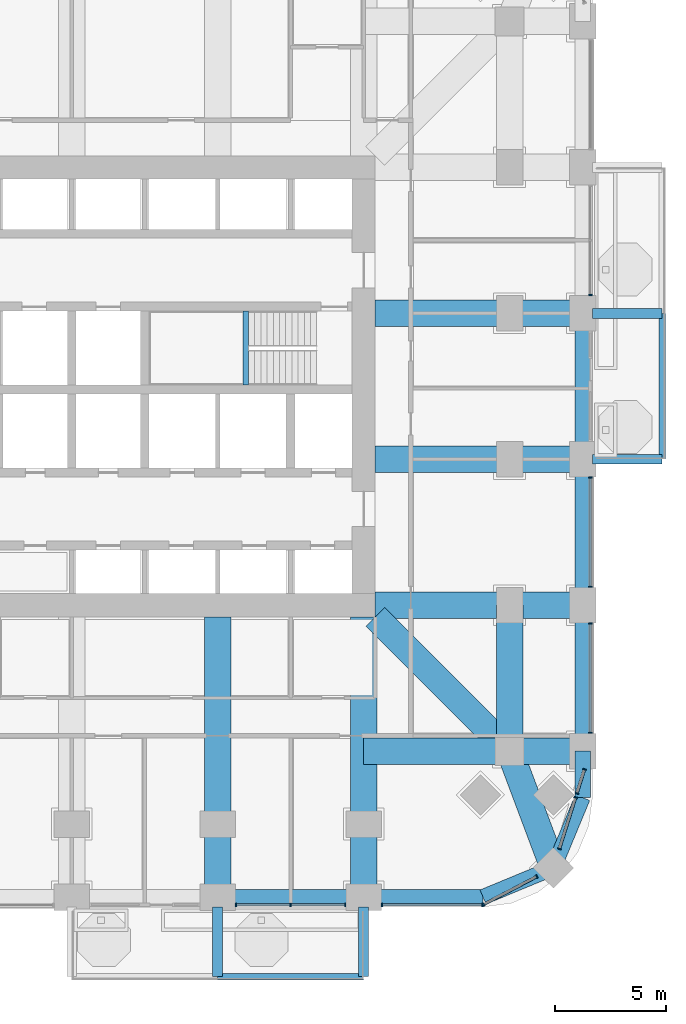
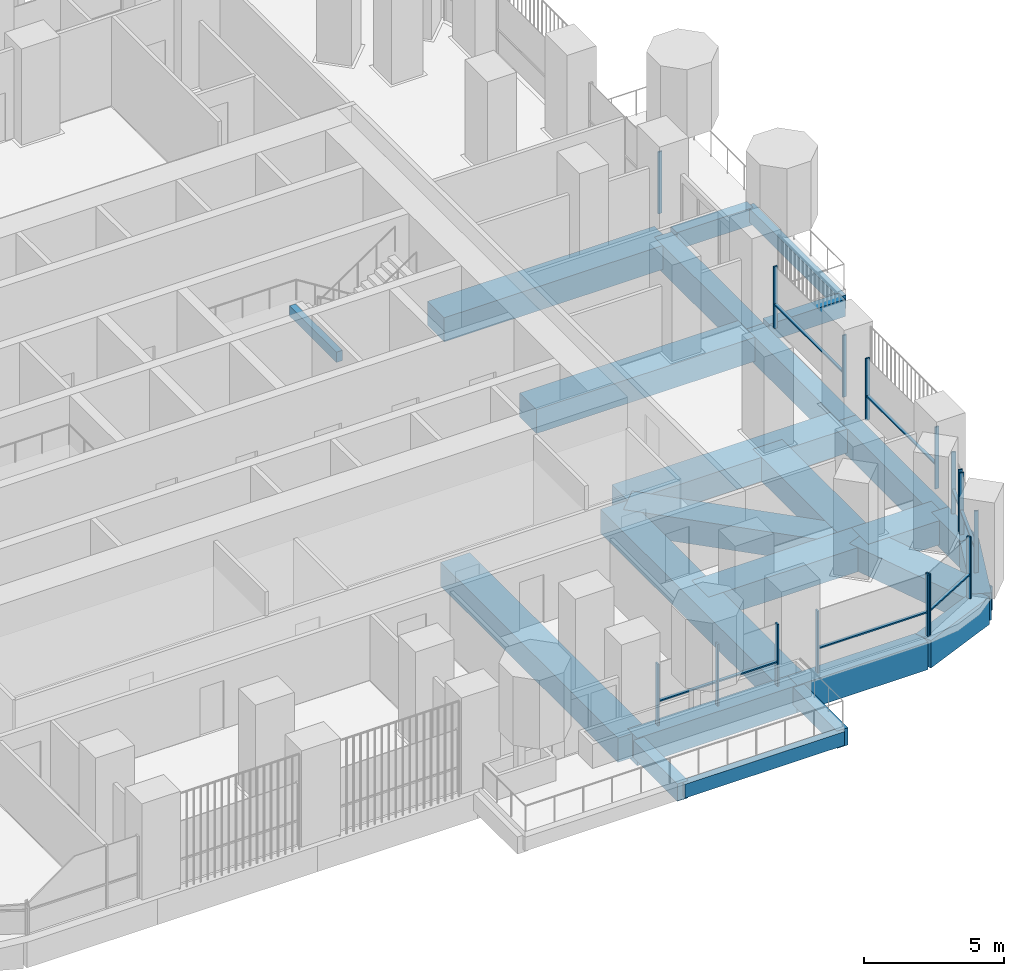
# One storey, part 5 of 23: 25 beams, 24 members, 8 elements without a shape of their own.
"""IFC4 building model written with IfcOpenShell, lengths in metres."""

from ifc_helpers import new_model, si_unit, direction, frame, origin, origin_2d, place, context, subcontext, project, spatial, rectangle, extrude, material, material_profile, profile_set, type_object, element, aggregate, save


model = new_model("IFC4")

# Units and contexts
model_context = context("Model", 3, precision=1e-05, world=origin(), true_north=direction((0.0, 1.0)))
body_context = subcontext(model_context, "Body", "Model", "MODEL_VIEW")
ifc_project = project(units=[si_unit("LENGTHUNIT", "METRE"), si_unit("AREAUNIT", "SQUARE_METRE"), si_unit("VOLUMEUNIT", "CUBIC_METRE"), si_unit("PLANEANGLEUNIT", "RADIAN"), si_unit("MASSUNIT", "GRAM", prefix="KILO")], contexts=[model_context])

# Site, building, storey
site_placement = place(None, origin())
site = spatial("IfcSite", under=ifc_project, at=site_placement, CompositionType="ELEMENT")
building_placement = place(site_placement, origin())
building = spatial("IfcBuilding", under=site, at=building_placement, Name="Cobogo Forest Laboratory Tower", CompositionType="ELEMENT")
storey_placement = place(building_placement, frame((0.0, 0.0, 103.199951171875)))
storey = spatial("IfcBuildingStorey", under=building, at=storey_placement, Name="L23", CompositionType="ELEMENT", Elevation=103.199951171875)

# Beams
ifc_material_1 = material(Name="Concrete HA-40 (C40/50)", Category="concrete")
ifc_material_profile_1 = material_profile(ifc_material_1, rectangle(XDim=0.449951171875, YDim=0.75, at=origin_2d()), Name="RC 450x750")
ifc_profile_set_1 = profile_set([ifc_material_profile_1], Name="Concrete HA-40 (C40/50)")
beam_type_1 = type_object("IfcBeamType", Name="Balcony cantilever beam 450x750", PredefinedType="BEAM", material=ifc_profile_set_1)
for number, where, z_axis, x_axis, name in (
    (1, (33.0, -0.449951171875, -0.625), (0.0, -1.0, 0.0), (1.0, 0.0, 0.0), "CB1 BAL-S1-C2 L23"),
    (2, (39.60009765625, -0.449951171875, -0.625), (0.0, -1.0, 0.0), (1.0, 0.0, 0.0), "CB1 BAL-S1-C3 L23"),
    (3, (49.949951171875, 19.800048828125, -0.625), (1.0, 0.0, 0.0), (0.0, 1.0, 0.0), "CB1 BAL-E1-C1 L23"),
    (4, (49.949951171875, 26.39990234375, -0.625), (1.0, 0.0, 0.0), (0.0, 1.0, 0.0), "CB1 BAL-E1-C2 L23"),
):
    element("IfcBeam", number, at=place(storey_placement, frame(where, z_axis=z_axis, x_axis=x_axis)), inside=storey, type_object=beam_type_1, Name=name, PredefinedType="BEAM", context=body_context, shape_type="SweptSolid", body=[
        extrude(rectangle(XDim=0.449951171875, YDim=0.75, at=origin_2d()), origin(), (0.0, 0.0, 1.0), 3.150146484375),
    ])
ifc_material_profile_2 = material_profile(ifc_material_1, rectangle(XDim=0.300048828125, YDim=0.60009765625, at=origin_2d()), Name="RC 300x600")
ifc_profile_set_2 = profile_set([ifc_material_profile_2], Name="Concrete HA-40 (C40/50)")
beam_type_2 = type_object("IfcBeamType", Name="Balcony edge beam 300x600", PredefinedType="BEAM", material=ifc_profile_set_2)
beam_1_placement = place(storey_placement, frame((33.0, -3.60009765625, -0.550048828125), z_axis=(1.0, 0.0, 0.0), x_axis=(0.0, 1.0, 0.0)))
element("IfcBeam", 5, at=beam_1_placement, inside=storey, type_object=beam_type_2, Name="BB1 BAL-S1-T2 L23", PredefinedType="BEAM", context=body_context, shape_type="SweptSolid", body=[
    extrude(rectangle(XDim=0.300048828125, YDim=0.60009765625, at=origin_2d()), origin(), (0.0, 0.0, 1.0), 6.60009765625),
])
beam_2_placement = place(storey_placement, frame((53.10009765625, 19.800048828125, -0.550048828125), z_axis=(0.0, 1.0, 0.0), x_axis=(-1.0, 0.0, 0.0)))
element("IfcBeam", 6, at=beam_2_placement, inside=storey, type_object=beam_type_2, Name="BB1 BAL-E1-T1 L23", PredefinedType="BEAM", context=body_context, shape_type="SweptSolid", body=[
    extrude(rectangle(XDim=0.300048828125, YDim=0.60009765625, at=origin_2d()), origin(), (0.0, 0.0, 1.0), 6.599853515625),
])
ifc_material_profile_3 = material_profile(ifc_material_1, rectangle(XDim=0.25, YDim=0.449951171875, at=origin_2d()), Name="RC 250x450")
ifc_profile_set_3 = profile_set([ifc_material_profile_3], Name="Concrete HA-40 (C40/50)")
beam_type_3 = type_object("IfcBeamType", Name="LB1 landing beam 250x450", PredefinedType="BEAM", material=ifc_profile_set_3)
beam_3_placement = place(storey_placement, frame((34.27001953125, 23.14990234375, 1.675048828125), z_axis=(0.0, 1.0, 0.0), x_axis=(-1.0, 0.0, 0.0)))
element("IfcBeam", 7, at=beam_3_placement, inside=storey, type_object=beam_type_3, Name="Landing beam ST2 L23", PredefinedType="BEAM", context=body_context, shape_type="SweptSolid", body=[
    extrude(rectangle(XDim=0.25, YDim=0.449951171875, at=origin_2d()), origin(), (0.0, 0.0, 1.0), 3.35009765625),
])
ifc_material_profile_4 = material_profile(ifc_material_1, rectangle(XDim=1.199951171875, YDim=1.050048828125, at=origin_2d()), Name="RC 1200x1050")
ifc_profile_set_4 = profile_set([ifc_material_profile_4], Name="Concrete HA-40 (C40/50)")
beam_type_4 = type_object("IfcBeamType", Name="Laboratory floor wide beam 1200x1050", PredefinedType="BEAM", material=ifc_profile_set_4)
for number, where, z_axis, x_axis, name in (
    (8, (33.0, 12.675048828125, -0.824951171875), (0.0, -1.0, 0.0), (1.0, 0.0, 0.0), "RB1 R-6-S L23"),
    (9, (39.60009765625, 12.675048828125, -0.824951171875), (0.0, -1.0, 0.0), (1.0, 0.0, 0.0), "RB1 R-7-S L23"),
):
    element("IfcBeam", number, at=place(storey_placement, frame(where, z_axis=z_axis, x_axis=x_axis)), inside=storey, type_object=beam_type_4, Name=name, PredefinedType="BEAM", context=body_context, shape_type="SweptSolid", body=[
        extrude(rectangle(XDim=1.199951171875, YDim=1.050048828125, at=origin_2d()), origin(), (0.0, 0.0, 1.0), 12.675048828125),
    ])
for number, where, z_axis, x_axis, name in (
    (10, (40.125, 13.199951171875, -0.824951171875), (1.0, 0.0, 0.0), (0.0, 1.0, 0.0), "RB1 R-C-E L23"),
    (11, (40.125, 19.800048828125, -0.824951171875), (1.0, 0.0, 0.0), (0.0, 1.0, 0.0), "RB1 R-D-E L23"),
    (12, (40.125, 26.39990234375, -0.824951171875), (1.0, 0.0, 0.0), (0.0, 1.0, 0.0), "RB1 R-E-E L23"),
):
    element("IfcBeam", number, at=place(storey_placement, frame(where, z_axis=z_axis, x_axis=x_axis)), inside=storey, type_object=beam_type_4, Name=name, PredefinedType="BEAM", context=body_context, shape_type="SweptSolid", body=[
        extrude(rectangle(XDim=1.199951171875, YDim=1.050048828125, at=origin_2d()), origin(), (0.0, 0.0, 1.0), 9.375),
    ])
beam_4_placement = place(storey_placement, frame((46.199951171875, 6.60009765625, -0.824951171875), z_axis=(0.0, 1.0, 0.0), x_axis=(-1.0, 0.0, 0.0)))
element("IfcBeam", 13, at=beam_4_placement, inside=storey, type_object=beam_type_4, Name="RB1 G-SE-XC L23", PredefinedType="BEAM", context=body_context, shape_type="SweptSolid", body=[
    extrude(rectangle(XDim=1.199951171875, YDim=1.050048828125, at=origin_2d()), origin(), (0.0, 0.0, 1.0), 6.599853515625),
])
beam_5_placement = place(storey_placement, frame((49.5, 6.60009765625, -0.824951171875), z_axis=(-1.0, 0.0, 0.0), x_axis=(0.0, -1.0, 0.0)))
element("IfcBeam", 14, at=beam_5_placement, inside=storey, type_object=beam_type_4, Name="RB1 G-SE-YF L23", PredefinedType="BEAM", context=body_context, shape_type="SweptSolid", body=[
    extrude(rectangle(XDim=1.199951171875, YDim=1.050048828125, at=origin_2d()), origin(), (0.0, 0.0, 1.0), 3.300048828125),
])
beam_6_placement = place(storey_placement, frame((46.199951171875, 6.60009765625, -0.824951171875), z_axis=(-1.0, 0.0, 0.0), x_axis=(0.0, -1.0, 0.0)))
element("IfcBeam", 15, at=beam_6_placement, inside=storey, type_object=beam_type_4, Name="RB1 G-SE-YC L23", PredefinedType="BEAM", context=body_context, shape_type="SweptSolid", body=[
    extrude(rectangle(XDim=1.199951171875, YDim=1.050048828125, at=origin_2d()), origin(), (0.0, 0.0, 1.0), 6.599853515625),
])
beam_7_placement = place(storey_placement, frame((48.181884765625, 1.318115234375, -0.824951171875), z_axis=(-0.351308391925, 0.936259800356, 0.0), x_axis=(-0.936259800356, -0.351308391925, 0.0)))
element("IfcBeam", 16, at=beam_7_placement, inside=storey, type_object=beam_type_4, Name="RB1 G-SE-D1 L23", PredefinedType="BEAM", context=body_context, shape_type="SweptSolid", body=[
    extrude(rectangle(XDim=1.199951171875, YDim=1.050048828125, at=origin_2d()), origin(), (0.0, 0.0, 1.0), 5.6416015625),
])
beam_8_placement = place(storey_placement, frame((46.199951171875, 6.60009765625, -0.824951171875), z_axis=(-0.707106781187, 0.707106781187, 0.0), x_axis=(-0.707106781187, -0.707106781187, 0.0)))
element("IfcBeam", 17, at=beam_8_placement, inside=storey, type_object=beam_type_4, Name="RB1 G-SE-D2 L23", PredefinedType="BEAM", context=body_context, shape_type="SweptSolid", body=[
    extrude(rectangle(XDim=1.199951171875, YDim=1.050048828125, at=origin_2d()), origin(), (0.0, 0.0, 1.0), 8.59130859375),
])

# Curtain wall, members
ifc_material_2 = material(Name="Aluminium curtain wall", Category="aluminium")
curtain_wall_type = type_object("IfcCurtainWallType", Name="CW-1 unitised curtain wall, clear glazing, laboratory floors zones A and B", PredefinedType="USERDEFINED", material=ifc_material_2)
curtain_wall_1_placement = place(storey_placement, origin())
curtain_wall_1 = element("IfcCurtainWall", 18, at=curtain_wall_1_placement, inside=storey, type_object=curtain_wall_type, Name="Curtain wall 05 L23", ObjectType="UNITISED CURTAIN WALL", PredefinedType="USERDEFINED")
ifc_material_3 = material(Name="Aluminium mullion", Category="aluminium")
ifc_material_profile_5 = material_profile(ifc_material_3, rectangle(XDim=0.06005859375, YDim=0.159912109375, at=origin_2d()), Name="AL 60x160")
ifc_profile_set_5 = profile_set([ifc_material_profile_5], Name="Aluminium mullion")
member_type_1 = type_object("IfcMemberType", Name="MU-1 aluminium mullion 60x160", PredefinedType="MULLION", material=ifc_profile_set_5)
member_1_placement = place(storey_placement, frame((33.830078125, -0.35009765625, 0.0), z_axis=(0.0, 0.0, 1.0), x_axis=(1.0, 0.0, 0.0)))
member_1 = element("IfcMember", 19, at=member_1_placement, type_object=member_type_1, Name="CW-1 mullion 1", PredefinedType="MULLION", context=body_context, shape_type="SweptSolid", body=[
    extrude(rectangle(XDim=0.06005859375, YDim=0.159912109375, at=origin_2d()), origin(), (0.0, 0.0, 1.0), 2.699951171875),
])
member_2_placement = place(storey_placement, frame((36.300048828125, -0.35009765625, 0.0), z_axis=(0.0, 0.0, 1.0), x_axis=(1.0, 0.0, 0.0)))
member_2 = element("IfcMember", 20, at=member_2_placement, type_object=member_type_1, Name="CW-1 mullion 2", PredefinedType="MULLION", context=body_context, shape_type="SweptSolid", body=[
    extrude(rectangle(XDim=0.06005859375, YDim=0.159912109375, at=origin_2d()), origin(), (0.0, 0.0, 1.0), 2.699951171875),
])
member_3_placement = place(storey_placement, frame((38.77001953125, -0.35009765625, 0.0), z_axis=(0.0, 0.0, 1.0), x_axis=(1.0, 0.0, 0.0)))
member_3 = element("IfcMember", 21, at=member_3_placement, type_object=member_type_1, Name="CW-1 mullion 3", PredefinedType="MULLION", context=body_context, shape_type="SweptSolid", body=[
    extrude(rectangle(XDim=0.06005859375, YDim=0.159912109375, at=origin_2d()), origin(), (0.0, 0.0, 1.0), 2.699951171875),
])

curtain_wall_2_placement = place(storey_placement, origin())
curtain_wall_2 = element("IfcCurtainWall", 22, at=curtain_wall_2_placement, inside=storey, type_object=curtain_wall_type, Name="Curtain wall 06 L23", ObjectType="UNITISED CURTAIN WALL", PredefinedType="USERDEFINED")
member_4_placement = place(storey_placement, frame((40.429931640625, -0.35009765625, 0.0), z_axis=(0.0, 0.0, 1.0), x_axis=(1.0, 0.0, 0.0)))
member_4 = element("IfcMember", 23, at=member_4_placement, type_object=member_type_1, Name="CW-1 mullion 1", PredefinedType="MULLION", context=body_context, shape_type="SweptSolid", body=[
    extrude(rectangle(XDim=0.06005859375, YDim=0.159912109375, at=origin_2d()), origin(), (0.0, 0.0, 1.0), 2.699951171875),
])
member_5_placement = place(storey_placement, frame((44.969970703125, -0.35009765625, 0.0), z_axis=(0.0, 0.0, 1.0), x_axis=(1.0, 0.0, 0.0)))
member_5 = element("IfcMember", 24, at=member_5_placement, type_object=member_type_1, Name="CW-1 mullion 2", PredefinedType="MULLION", context=body_context, shape_type="SweptSolid", body=[
    extrude(rectangle(XDim=0.06005859375, YDim=0.159912109375, at=origin_2d()), origin(), (0.0, 0.0, 1.0), 2.699951171875),
])

curtain_wall_3_placement = place(storey_placement, origin())
curtain_wall_3 = element("IfcCurtainWall", 25, at=curtain_wall_3_placement, inside=storey, type_object=curtain_wall_type, Name="Curtain wall 07 L23", ObjectType="UNITISED CURTAIN WALL", PredefinedType="USERDEFINED")
member_6_placement = place(storey_placement, frame((45.026611328125, -0.336181640625, 0.0), z_axis=(0.0, 0.0, 1.0), x_axis=(0.885686547075, 0.464283685186, 0.0)))
member_6 = element("IfcMember", 26, at=member_6_placement, type_object=member_type_1, Name="CW-1 mullion 1", PredefinedType="MULLION", context=body_context, shape_type="SweptSolid", body=[
    extrude(rectangle(XDim=0.06005859375, YDim=0.159912109375, at=origin_2d()), origin(), (0.0, 0.0, 1.0), 2.699951171875),
])
member_7_placement = place(storey_placement, frame((47.431640625, 0.9248046875, 0.0), z_axis=(0.0, 0.0, 1.0), x_axis=(0.885686547075, 0.464283685186, 0.0)))
member_7 = element("IfcMember", 27, at=member_7_placement, type_object=member_type_1, Name="CW-1 mullion 2", PredefinedType="MULLION", context=body_context, shape_type="SweptSolid", body=[
    extrude(rectangle(XDim=0.06005859375, YDim=0.159912109375, at=origin_2d()), origin(), (0.0, 0.0, 1.0), 2.699951171875),
])

curtain_wall_4_placement = place(storey_placement, origin())
curtain_wall_4 = element("IfcCurtainWall", 28, at=curtain_wall_4_placement, inside=storey, type_object=curtain_wall_type, Name="Curtain wall 08 L23", ObjectType="UNITISED CURTAIN WALL", PredefinedType="USERDEFINED")
member_8_placement = place(storey_placement, frame((48.455810546875, 2.18505859375, 0.0), z_axis=(0.0, 0.0, 1.0), x_axis=(0.301135291996, 0.953581425949, 0.0)))
member_8 = element("IfcMember", 29, at=member_8_placement, type_object=member_type_1, Name="CW-1 mullion 1", PredefinedType="MULLION", context=body_context, shape_type="SweptSolid", body=[
    extrude(rectangle(XDim=0.06005859375, YDim=0.159912109375, at=origin_2d()), origin(), (0.0, 0.0, 1.0), 2.699951171875),
])
member_9_placement = place(storey_placement, frame((49.18701171875, 4.500244140625, 0.0), z_axis=(0.0, 0.0, 1.0), x_axis=(0.301135291996, 0.953581425949, 0.0)))
member_9 = element("IfcMember", 30, at=member_9_placement, type_object=member_type_1, Name="CW-1 mullion 2", PredefinedType="MULLION", context=body_context, shape_type="SweptSolid", body=[
    extrude(rectangle(XDim=0.06005859375, YDim=0.159912109375, at=origin_2d()), origin(), (0.0, 0.0, 1.0), 2.699951171875),
])

curtain_wall_5_placement = place(storey_placement, origin())
curtain_wall_5 = element("IfcCurtainWall", 31, at=curtain_wall_5_placement, inside=storey, type_object=curtain_wall_type, Name="Curtain wall 09 L23", ObjectType="UNITISED CURTAIN WALL", PredefinedType="USERDEFINED")
member_10_placement = place(storey_placement, frame((49.247802734375, 4.69287109375, 0.0), z_axis=(0.0, 0.0, 1.0), x_axis=(0.301135667865, 0.953581307252, 0.0)))
member_10 = element("IfcMember", 32, at=member_10_placement, type_object=member_type_1, Name="CW-1 mullion 1", PredefinedType="MULLION", context=body_context, shape_type="SweptSolid", body=[
    extrude(rectangle(XDim=0.06005859375, YDim=0.159912109375, at=origin_2d()), origin(), (0.0, 0.0, 1.0), 2.699951171875),
])
member_11_placement = place(storey_placement, frame((49.58837890625, 5.771484375, 0.0), z_axis=(0.0, 0.0, 1.0), x_axis=(0.301135667865, 0.953581307252, 0.0)))
member_11 = element("IfcMember", 33, at=member_11_placement, type_object=member_type_1, Name="CW-1 mullion 2", PredefinedType="MULLION", context=body_context, shape_type="SweptSolid", body=[
    extrude(rectangle(XDim=0.06005859375, YDim=0.159912109375, at=origin_2d()), origin(), (0.0, 0.0, 1.0), 2.699951171875),
])

curtain_wall_6_placement = place(storey_placement, origin())
curtain_wall_6 = element("IfcCurtainWall", 34, at=curtain_wall_6_placement, inside=storey, type_object=curtain_wall_type, Name="Curtain wall 10 L23", ObjectType="UNITISED CURTAIN WALL", PredefinedType="USERDEFINED")
member_12_placement = place(storey_placement, frame((49.85009765625, 7.429931640625, 0.0), z_axis=(0.0, 0.0, 1.0), x_axis=(0.0, 1.0, 0.0)))
member_12 = element("IfcMember", 35, at=member_12_placement, type_object=member_type_1, Name="CW-1 mullion 1", PredefinedType="MULLION", context=body_context, shape_type="SweptSolid", body=[
    extrude(rectangle(XDim=0.06005859375, YDim=0.159912109375, at=origin_2d()), origin(), (0.0, 0.0, 1.0), 2.699951171875),
])
member_13_placement = place(storey_placement, frame((49.85009765625, 12.3701171875, 0.0), z_axis=(0.0, 0.0, 1.0), x_axis=(0.0, 1.0, 0.0)))
member_13 = element("IfcMember", 36, at=member_13_placement, type_object=member_type_1, Name="CW-1 mullion 2", PredefinedType="MULLION", context=body_context, shape_type="SweptSolid", body=[
    extrude(rectangle(XDim=0.06005859375, YDim=0.159912109375, at=origin_2d()), origin(), (0.0, 0.0, 1.0), 2.699951171875),
])

curtain_wall_7_placement = place(storey_placement, origin())
curtain_wall_7 = element("IfcCurtainWall", 37, at=curtain_wall_7_placement, inside=storey, type_object=curtain_wall_type, Name="Curtain wall 11 L23", ObjectType="UNITISED CURTAIN WALL", PredefinedType="USERDEFINED")
member_14_placement = place(storey_placement, frame((49.85009765625, 14.030029296875, 0.0), z_axis=(0.0, 0.0, 1.0), x_axis=(0.0, 1.0, 0.0)))
member_14 = element("IfcMember", 38, at=member_14_placement, type_object=member_type_1, Name="CW-1 mullion 1", PredefinedType="MULLION", context=body_context, shape_type="SweptSolid", body=[
    extrude(rectangle(XDim=0.06005859375, YDim=0.159912109375, at=origin_2d()), origin(), (0.0, 0.0, 1.0), 2.699951171875),
])
member_15_placement = place(storey_placement, frame((49.85009765625, 18.969970703125, 0.0), z_axis=(0.0, 0.0, 1.0), x_axis=(0.0, 1.0, 0.0)))
member_15 = element("IfcMember", 39, at=member_15_placement, type_object=member_type_1, Name="CW-1 mullion 2", PredefinedType="MULLION", context=body_context, shape_type="SweptSolid", body=[
    extrude(rectangle(XDim=0.06005859375, YDim=0.159912109375, at=origin_2d()), origin(), (0.0, 0.0, 1.0), 2.699951171875),
])

# Curtain wall, member
curtain_wall_8_placement = place(storey_placement, origin())
curtain_wall_8 = element("IfcCurtainWall", 40, at=curtain_wall_8_placement, inside=storey, type_object=curtain_wall_type, Name="Curtain wall 13 L23", ObjectType="UNITISED CURTAIN WALL", PredefinedType="USERDEFINED")
member_16_placement = place(storey_placement, frame((49.85009765625, 27.22998046875, 0.0), z_axis=(0.0, 0.0, 1.0), x_axis=(0.0, 1.0, 0.0)))
member_16 = element("IfcMember", 41, at=member_16_placement, type_object=member_type_1, Name="CW-1 mullion 1", PredefinedType="MULLION", context=body_context, shape_type="SweptSolid", body=[
    extrude(rectangle(XDim=0.06005859375, YDim=0.159912109375, at=origin_2d()), origin(), (0.0, 0.0, 1.0), 2.699951171875),
])
aggregate(curtain_wall_8, [member_16])

# Beams
ifc_material_profile_6 = material_profile(ifc_material_1, rectangle(XDim=0.699951171875, YDim=1.199951171875, at=origin_2d()), Name="RC 700x1200")
ifc_profile_set_6 = profile_set([ifc_material_profile_6], Name="Concrete HA-40 (C40/50)")
beam_type_5 = type_object("IfcBeamType", Name="Perimeter edge beam 700x1200", PredefinedType="BEAM", material=ifc_profile_set_6)
beam_9_placement = place(storey_placement, frame((33.0, 0.0, -0.89990234375), z_axis=(1.0, 0.0, 0.0), x_axis=(0.0, 1.0, 0.0)))
element("IfcBeam", 42, at=beam_9_placement, inside=storey, type_object=beam_type_5, Name="EB1 E-S4 L23", PredefinedType="BEAM", context=body_context, shape_type="SweptSolid", body=[
    extrude(rectangle(XDim=0.699951171875, YDim=1.199951171875, at=origin_2d()), origin(), (0.0, 0.0, 1.0), 6.60009765625),
])
beam_10_placement = place(storey_placement, frame((49.5, 6.60009765625, -0.89990234375), z_axis=(0.0, 1.0, 0.0), x_axis=(-1.0, 0.0, 0.0)))
element("IfcBeam", 43, at=beam_10_placement, inside=storey, type_object=beam_type_5, Name="EB1 E-E1 L23", PredefinedType="BEAM", context=body_context, shape_type="SweptSolid", body=[
    extrude(rectangle(XDim=0.699951171875, YDim=1.199951171875, at=origin_2d()), origin(), (0.0, 0.0, 1.0), 6.599853515625),
])
beam_11_placement = place(storey_placement, frame((49.5, 13.199951171875, -0.89990234375), z_axis=(0.0, 1.0, 0.0), x_axis=(-1.0, 0.0, 0.0)))
element("IfcBeam", 44, at=beam_11_placement, inside=storey, type_object=beam_type_5, Name="EB1 E-E2 L23", PredefinedType="BEAM", context=body_context, shape_type="SweptSolid", body=[
    extrude(rectangle(XDim=0.699951171875, YDim=1.199951171875, at=origin_2d()), origin(), (0.0, 0.0, 1.0), 6.60009765625),
])
beam_12_placement = place(storey_placement, frame((49.5, 19.800048828125, -0.89990234375), z_axis=(0.0, 1.0, 0.0), x_axis=(-1.0, 0.0, 0.0)))
element("IfcBeam", 45, at=beam_12_placement, inside=storey, type_object=beam_type_5, Name="EB1 E-E3 L23", PredefinedType="BEAM", context=body_context, shape_type="SweptSolid", body=[
    extrude(rectangle(XDim=0.699951171875, YDim=1.199951171875, at=origin_2d()), origin(), (0.0, 0.0, 1.0), 6.599853515625),
])
beam_13_placement = place(storey_placement, frame((39.60009765625, 0.0, -0.89990234375), z_axis=(1.0, 0.0, 0.0), x_axis=(0.0, 1.0, 0.0)))
element("IfcBeam", 46, at=beam_13_placement, inside=storey, type_object=beam_type_5, Name="EB1 E-SES1 L23", PredefinedType="BEAM", context=body_context, shape_type="SweptSolid", body=[
    extrude(rectangle(XDim=0.699951171875, YDim=1.199951171875, at=origin_2d()), origin(), (0.0, 0.0, 1.0), 5.39990234375),
])
beam_14_placement = place(storey_placement, frame((45.0, 0.0, -0.89990234375), z_axis=(0.923865631356, 0.382716990999, 0.0), x_axis=(-0.382716990999, 0.923865631356, 0.0)))
element("IfcBeam", 47, at=beam_14_placement, inside=storey, type_object=beam_type_5, Name="EB1 E-SES2 L23", PredefinedType="BEAM", context=body_context, shape_type="SweptSolid", body=[
    extrude(rectangle(XDim=0.699951171875, YDim=1.199951171875, at=origin_2d()), origin(), (0.0, 0.0, 1.0), 3.444091796875),
])
beam_15_placement = place(storey_placement, frame((49.5, 6.60009765625, -0.89990234375), z_axis=(0.0, -1.0, 0.0), x_axis=(1.0, 0.0, 0.0)))
element("IfcBeam", 48, at=beam_15_placement, inside=storey, type_object=beam_type_5, Name="EB1 E-SEE1 L23", PredefinedType="BEAM", context=body_context, shape_type="SweptSolid", body=[
    extrude(rectangle(XDim=0.699951171875, YDim=1.199951171875, at=origin_2d()), origin(), (0.0, 0.0, 1.0), 2.10009765625),
])
beam_16_placement = place(storey_placement, frame((49.5, 4.5, -0.89990234375), z_axis=(-0.382716990999, -0.923865631356, 0.0), x_axis=(0.923865631356, -0.382716990999, 0.0)))
element("IfcBeam", 49, at=beam_16_placement, inside=storey, type_object=beam_type_5, Name="EB1 E-SEE2 L23", PredefinedType="BEAM", context=body_context, shape_type="SweptSolid", body=[
    extrude(rectangle(XDim=0.699951171875, YDim=1.199951171875, at=origin_2d()), origin(), (0.0, 0.0, 1.0), 3.444091796875),
])

# Member
ifc_material_4 = material(Name="Aluminium transom", Category="aluminium")
ifc_material_profile_7 = material_profile(ifc_material_4, rectangle(XDim=0.1201171875, YDim=0.06005859375, at=origin_2d()), Name="AL 60x120")
ifc_profile_set_7 = profile_set([ifc_material_profile_7], Name="Aluminium transom")
member_type_2 = type_object("IfcMemberType", Name="TR-1 aluminium transom 60x120", PredefinedType="USERDEFINED", material=ifc_profile_set_7)
member_17_placement = place(storey_placement, frame((33.860107421875, -0.35009765625, 1.050048828125), z_axis=(1.0, 0.0, 0.0), x_axis=(0.0, 1.0, 0.0)))
member_17 = element("IfcMember", 50, at=member_17_placement, type_object=member_type_2, Name="CW-1 transom 1.1", ObjectType="TRANSOM", PredefinedType="USERDEFINED", context=body_context, shape_type="SweptSolid", body=[
    extrude(rectangle(XDim=0.1201171875, YDim=0.06005859375, at=origin_2d()), origin(), (0.0, 0.0, 1.0), 2.409912109375),
])

member_18_placement = place(storey_placement, frame((36.330078125, -0.35009765625, 1.050048828125), z_axis=(1.0, 0.0, 0.0), x_axis=(0.0, 1.0, 0.0)))
member_18 = element("IfcMember", 51, at=member_18_placement, type_object=member_type_2, Name="CW-1 transom 2.1", ObjectType="TRANSOM", PredefinedType="USERDEFINED", context=body_context, shape_type="SweptSolid", body=[
    extrude(rectangle(XDim=0.1201171875, YDim=0.06005859375, at=origin_2d()), origin(), (0.0, 0.0, 1.0), 2.409912109375),
])

aggregate(curtain_wall_1, [member_1, member_2, member_3, member_17, member_18])

member_19_placement = place(storey_placement, frame((40.4599609375, -0.35009765625, 1.050048828125), z_axis=(1.0, 0.0, 0.0), x_axis=(0.0, 1.0, 0.0)))
member_19 = element("IfcMember", 52, at=member_19_placement, type_object=member_type_2, Name="CW-1 transom 1.1", ObjectType="TRANSOM", PredefinedType="USERDEFINED", context=body_context, shape_type="SweptSolid", body=[
    extrude(rectangle(XDim=0.1201171875, YDim=0.06005859375, at=origin_2d()), origin(), (0.0, 0.0, 1.0), 4.47998046875),
])

aggregate(curtain_wall_2, [member_4, member_5, member_19])

member_20_placement = place(storey_placement, frame((45.05322265625, -0.322021484375, 1.050048828125), z_axis=(0.885674922116, 0.464305860758, 0.0), x_axis=(-0.464305860758, 0.885674922116, 0.0)))
member_20 = element("IfcMember", 53, at=member_20_placement, type_object=member_type_2, Name="CW-1 transom 1.1", ObjectType="TRANSOM", PredefinedType="USERDEFINED", context=body_context, shape_type="SweptSolid", body=[
    extrude(rectangle(XDim=0.1201171875, YDim=0.06005859375, at=origin_2d()), origin(), (0.0, 0.0, 1.0), 2.6552734375),
])

aggregate(curtain_wall_3, [member_6, member_7, member_20])

member_21_placement = place(storey_placement, frame((48.46484375, 2.213623046875, 1.050048828125), z_axis=(0.301156039198, 0.953574873859, 0.0), x_axis=(-0.953574873859, 0.301156039198, 0.0)))
member_21 = element("IfcMember", 54, at=member_21_placement, type_object=member_type_2, Name="CW-1 transom 1.1", ObjectType="TRANSOM", PredefinedType="USERDEFINED", context=body_context, shape_type="SweptSolid", body=[
    extrude(rectangle(XDim=0.1201171875, YDim=0.06005859375, at=origin_2d()), origin(), (0.0, 0.0, 1.0), 2.367919921875),
])

aggregate(curtain_wall_4, [member_8, member_9, member_21])

member_22_placement = place(storey_placement, frame((49.2568359375, 4.7216796875, 1.050048828125), z_axis=(0.301207754852, 0.953558539586, 0.0), x_axis=(-0.953558539586, 0.301207754852, 0.0)))
member_22 = element("IfcMember", 55, at=member_22_placement, type_object=member_type_2, Name="CW-1 transom 1.1", ObjectType="TRANSOM", PredefinedType="USERDEFINED", context=body_context, shape_type="SweptSolid", body=[
    extrude(rectangle(XDim=0.1201171875, YDim=0.06005859375, at=origin_2d()), origin(), (0.0, 0.0, 1.0), 1.07080078125),
])

aggregate(curtain_wall_5, [member_10, member_11, member_22])

member_23_placement = place(storey_placement, frame((49.85009765625, 7.4599609375, 1.050048828125), z_axis=(0.0, 1.0, 0.0), x_axis=(-1.0, 0.0, 0.0)))
member_23 = element("IfcMember", 56, at=member_23_placement, type_object=member_type_2, Name="CW-1 transom 1.1", ObjectType="TRANSOM", PredefinedType="USERDEFINED", context=body_context, shape_type="SweptSolid", body=[
    extrude(rectangle(XDim=0.1201171875, YDim=0.06005859375, at=origin_2d()), origin(), (0.0, 0.0, 1.0), 4.880126953125),
])

aggregate(curtain_wall_6, [member_12, member_13, member_23])

member_24_placement = place(storey_placement, frame((49.85009765625, 14.06005859375, 1.050048828125), z_axis=(0.0, 1.0, 0.0), x_axis=(-1.0, 0.0, 0.0)))
member_24 = element("IfcMember", 57, at=member_24_placement, type_object=member_type_2, Name="CW-1 transom 1.1", ObjectType="TRANSOM", PredefinedType="USERDEFINED", context=body_context, shape_type="SweptSolid", body=[
    extrude(rectangle(XDim=0.1201171875, YDim=0.06005859375, at=origin_2d()), origin(), (0.0, 0.0, 1.0), 4.8798828125),
])

aggregate(curtain_wall_7, [member_14, member_15, member_24])

save(model, "model.ifc")
